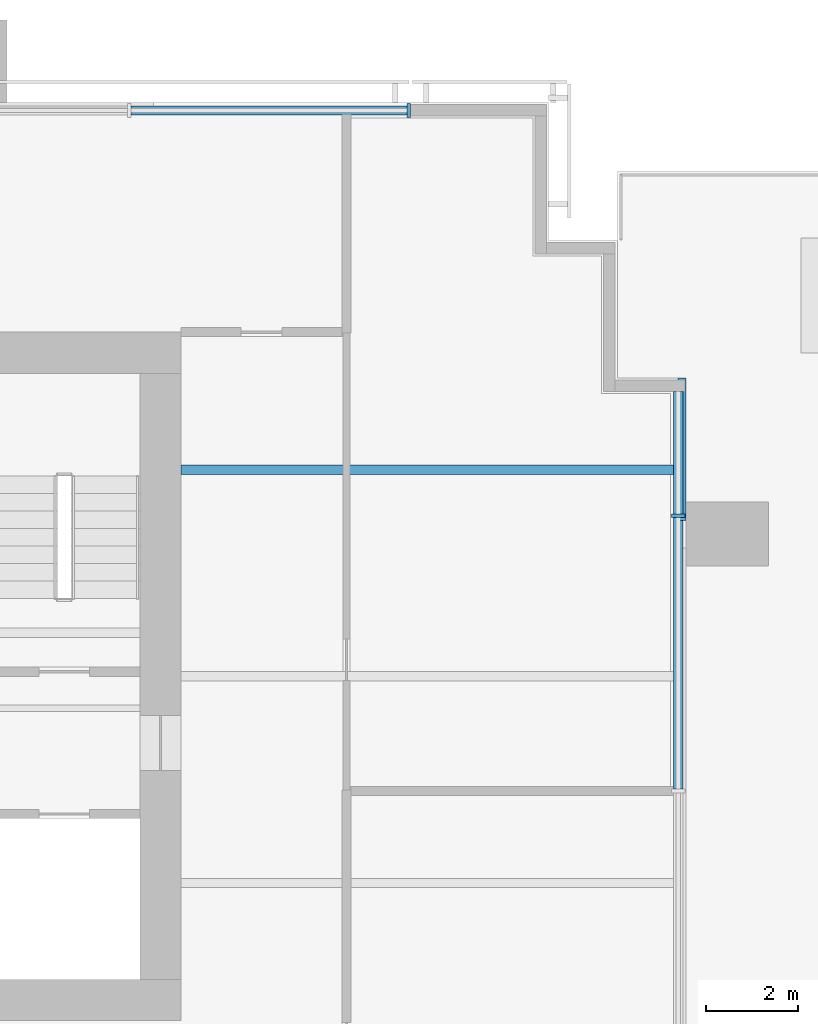
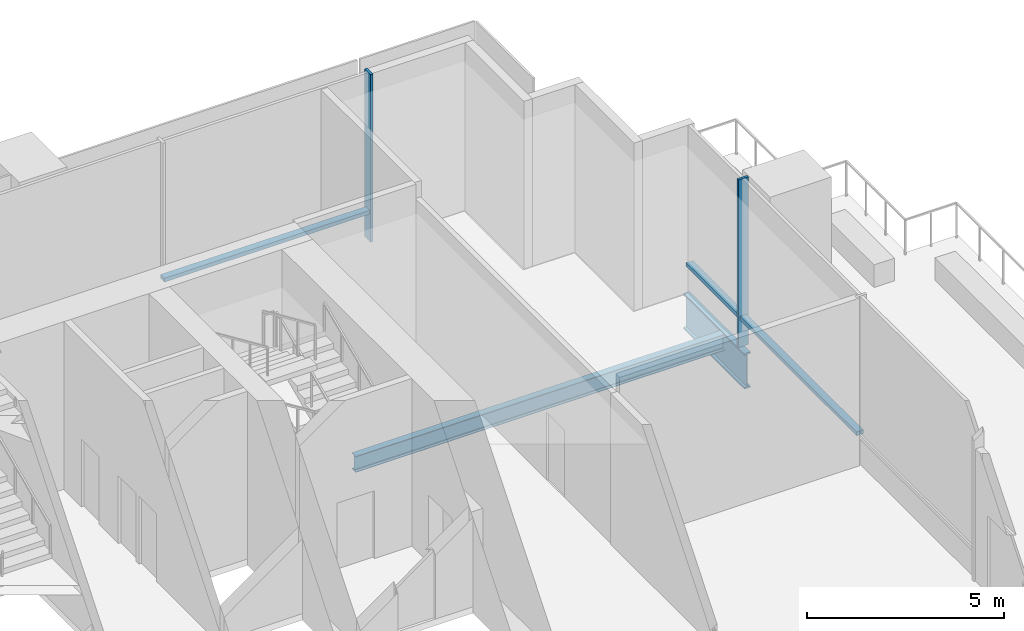
# One storey, part 5 of 14: 5 members, 2 beams, 2 elements without a shape of their own.
"""IFC4 building model written with IfcOpenShell, lengths in metres."""

from ifc_helpers import new_model, si_unit, direction, frame, origin, origin_2d, place, context, subcontext, project, spatial, rectangle, i_section, extrude, material, layer, layer_set, material_profile, profile_set, type_object, element, aggregate, save


model = new_model("IFC4")

# Units and contexts
model_context = context("Model", 3, precision=1e-05, world=origin(), true_north=direction((0.0, 1.0)))
body_context = subcontext(model_context, "Body", "Model", "MODEL_VIEW")
ifc_project = project(units=[si_unit("LENGTHUNIT", "METRE"), si_unit("AREAUNIT", "SQUARE_METRE"), si_unit("VOLUMEUNIT", "CUBIC_METRE"), si_unit("PLANEANGLEUNIT", "RADIAN"), si_unit("MASSUNIT", "GRAM", prefix="KILO")], contexts=[model_context])

# Site, building, storey
site_placement = place(None, origin())
site = spatial("IfcSite", under=ifc_project, at=site_placement, CompositionType="ELEMENT")
building_placement = place(site_placement, origin())
building = spatial("IfcBuilding", under=site, at=building_placement, Name="Rattan Terrace Tower", CompositionType="ELEMENT")
storey_placement = place(building_placement, frame((0.0, 0.0, 120.699951171875)))
storey = spatial("IfcBuildingStorey", under=building, at=storey_placement, Name="L27", CompositionType="ELEMENT", Elevation=120.699951171875)

# Beams
ifc_material_1 = material(Name="Steel S460", Category="steel")
ifc_material_profile_1 = material_profile(ifc_material_1, i_section(OverallWidth=0.179931640625, OverallDepth=1.10009765625, WebThickness=0.01611328125, FlangeThickness=0.050048828125, at=origin_2d()), Name="PG 1100x180-16-50")
ifc_profile_set_1 = profile_set([ifc_material_profile_1], Name="Steel S460")
beam_type_1 = type_object("IfcBeamType", Name="Frame edge girder PG 1100x180-16-50", PredefinedType="SPANDREL", material=ifc_profile_set_1)
beam_1_placement = place(storey_placement, frame((28.909912109375, 3.39990234375, -0.75), z_axis=(0.0, 1.0, 0.0), x_axis=(-1.0, 0.0, 0.0)))
element("IfcBeam", 1, at=beam_1_placement, inside=storey, type_object=beam_type_1, Name="gdr-L27-008", PredefinedType="SPANDREL", context=body_context, shape_type="SweptSolid", body=[
    extrude(i_section(OverallWidth=0.179931640625, OverallDepth=1.10009765625, WebThickness=0.01611328125, FlangeThickness=0.050048828125, at=origin_2d()), origin(), (0.0, 0.0, 1.0), 3.10009765625),
])
ifc_material_2 = material(Name="Steel S355", Category="steel")
ifc_material_profile_2 = material_profile(ifc_material_2, i_section(OverallWidth=0.199951171875, OverallDepth=0.5, WebThickness=0.01025390625, FlangeThickness=0.01611328125, FilletRadius=0.02099609375, at=origin_2d()), Name="IPE 500")
ifc_profile_set_2 = profile_set([ifc_material_profile_2], Name="Steel S355")
beam_type_2 = type_object("IfcBeamType", Name="Frame floor beam IPE 500", PredefinedType="JOIST", material=ifc_profile_set_2)
beam_2_placement = place(storey_placement, frame((18.0, 4.5, -0.449951171875), z_axis=(1.0, 0.0, 0.0), x_axis=(0.0, 1.0, 0.0)))
element("IfcBeam", 2, at=beam_2_placement, inside=storey, type_object=beam_type_2, Name="bm-L27-019", PredefinedType="JOIST", context=body_context, shape_type="SweptSolid", body=[
    extrude(i_section(OverallWidth=0.199951171875, OverallDepth=0.5, WebThickness=0.01025390625, FlangeThickness=0.01611328125, FilletRadius=0.02099609375, at=origin_2d()), origin(), (0.0, 0.0, 1.0), 10.820068359375),
])

# Curtain wall, member
ifc_material_3 = material(Name="Steel fins, aluminium and glass", Category="steel")
ifc_layer = layer(ifc_material_3, 0.300048828125)
ifc_layer_set = layer_set([ifc_layer], Name="Sky Lobby Stick Curtain Wall")
curtain_wall_type = type_object("IfcCurtainWallType", Name="Sky Lobby Stick Curtain Wall", PredefinedType="NOTDEFINED", material=ifc_layer_set)
curtain_wall_1_placement = place(storey_placement, origin())
curtain_wall_1 = element("IfcCurtainWall", 3, at=curtain_wall_1_placement, inside=storey, type_object=curtain_wall_type, Name="Sky lobby curtain wall L27-2", PredefinedType="NOTDEFINED")
ifc_material_4 = material(Name="Steel S355", Category="steel")
ifc_material_profile_3 = material_profile(ifc_material_4, rectangle(XDim=0.080078125, YDim=0.300048828125, at=origin_2d()), Name="Steel S355 80x300")
ifc_profile_set_3 = profile_set([ifc_material_profile_3], Name="Steel S355")
member_type_1 = type_object("IfcMemberType", Name="Sky Lobby CW Fin 80x300", PredefinedType="MULLION", material=ifc_profile_set_3)
member_1_placement = place(storey_placement, frame((28.830078125, 3.5, 0.0), z_axis=(0.0, 0.0, 1.0), x_axis=(0.0, 1.0, 0.0)))
member_1 = element("IfcMember", 4, at=member_1_placement, type_object=member_type_1, Name="Mullion cwl-L27-002.3", PredefinedType="MULLION", context=body_context, shape_type="SweptSolid", body=[
    extrude(rectangle(XDim=0.080078125, YDim=0.300048828125, at=origin_2d()), origin(), (0.0, 0.0, 1.0), 5.199951171875),
])

curtain_wall_2_placement = place(storey_placement, origin())
curtain_wall_2 = element("IfcCurtainWall", 5, at=curtain_wall_2_placement, inside=storey, type_object=curtain_wall_type, Name="Sky lobby curtain wall L27-3", PredefinedType="NOTDEFINED")
member_2_placement = place(storey_placement, frame((22.9599609375, 12.330078125, 0.0), z_axis=(0.0, 0.0, 1.0), x_axis=(-1.0, 0.0, 0.0)))
member_2 = element("IfcMember", 6, at=member_2_placement, type_object=member_type_1, Name="Mullion cwl-L27-003.1", PredefinedType="MULLION", context=body_context, shape_type="SweptSolid", body=[
    extrude(rectangle(XDim=0.080078125, YDim=0.300048828125, at=origin_2d()), origin(), (0.0, 0.0, 1.0), 5.199951171875),
])

# Member
ifc_material_5 = material(Name="Aluminium", Category="aluminium")
ifc_material_profile_4 = material_profile(ifc_material_5, rectangle(XDim=0.199951171875, YDim=0.1201171875, at=origin_2d()), Name="Aluminium 200x120")
ifc_profile_set_4 = profile_set([ifc_material_profile_4], Name="Aluminium")
member_type_2 = type_object("IfcMemberType", Name="Sky Lobby CW Transom 200x120", PredefinedType="USERDEFINED", material=ifc_profile_set_4)
member_3_placement = place(storey_placement, frame((28.830078125, -2.4599609375, 0.900146484375), z_axis=(0.0, 1.0, 0.0), x_axis=(-1.0, 0.0, 0.0)))
member_3 = element("IfcMember", 7, at=member_3_placement, type_object=member_type_2, Name="Transom cwl-L27-002.2", ObjectType="TRANSOM", PredefinedType="USERDEFINED", context=body_context, shape_type="SweptSolid", body=[
    extrude(rectangle(XDim=0.199951171875, YDim=0.1201171875, at=origin_2d()), origin(), (0.0, 0.0, 1.0), 5.919921875),
])

member_4_placement = place(storey_placement, frame((28.830078125, 3.5400390625, 0.900146484375), z_axis=(0.0, 1.0, 0.0), x_axis=(-1.0, 0.0, 0.0)))
member_4 = element("IfcMember", 8, at=member_4_placement, type_object=member_type_2, Name="Transom cwl-L27-002.3", ObjectType="TRANSOM", PredefinedType="USERDEFINED", context=body_context, shape_type="SweptSolid", body=[
    extrude(rectangle(XDim=0.199951171875, YDim=0.1201171875, at=origin_2d()), origin(), (0.0, 0.0, 1.0), 2.6650390625),
])

aggregate(curtain_wall_1, [member_1, member_3, member_4])

member_5_placement = place(storey_placement, frame((22.919921875, 12.330078125, 0.900146484375), z_axis=(-1.0, 0.0, 0.0), x_axis=(0.0, -1.0, 0.0)))
member_5 = element("IfcMember", 9, at=member_5_placement, type_object=member_type_2, Name="Transom cwl-L27-003.1", ObjectType="TRANSOM", PredefinedType="USERDEFINED", context=body_context, shape_type="SweptSolid", body=[
    extrude(rectangle(XDim=0.199951171875, YDim=0.1201171875, at=origin_2d()), origin(), (0.0, 0.0, 1.0), 6.013916015625),
])

aggregate(curtain_wall_2, [member_2, member_5])

save(model, "model.ifc")
